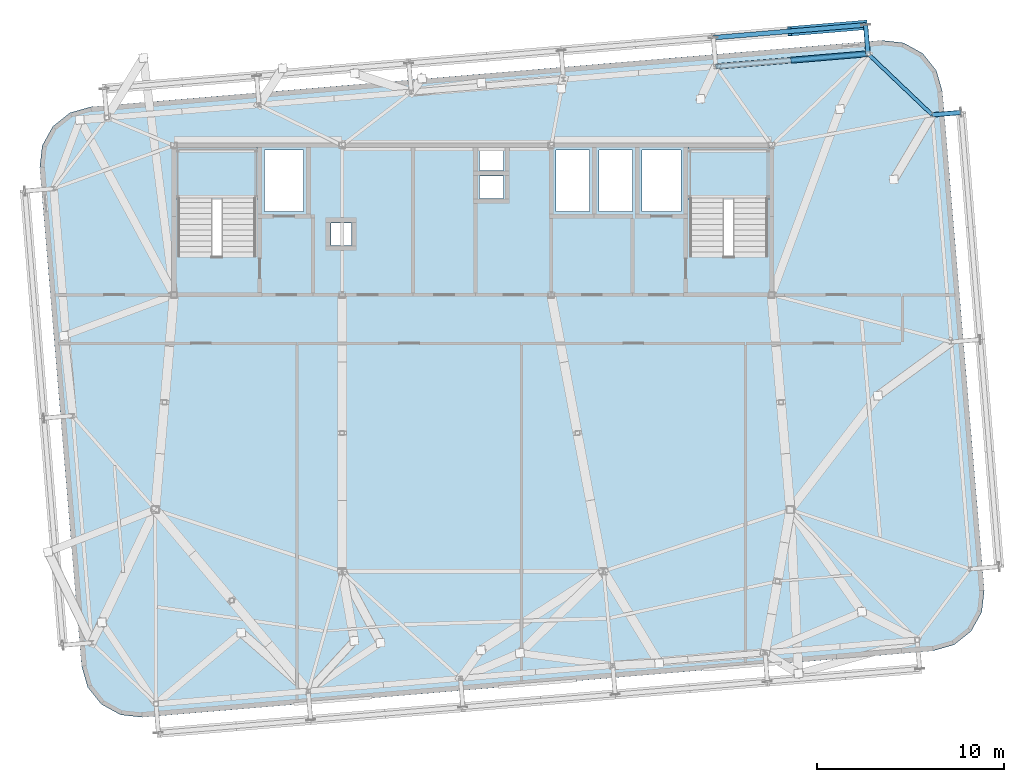
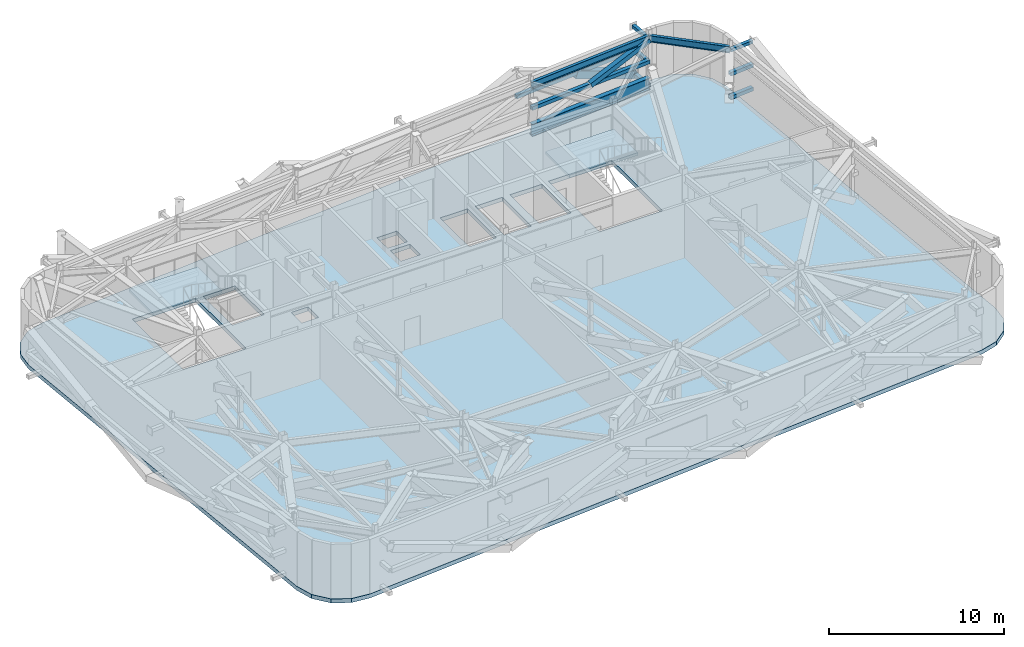
# One storey, part 14 of 26: 11 members, 3 slabs, 2 beams, 2 elements without a shape of their own.
"""IFC4 building model written with IfcOpenShell, lengths in metres."""

from ifc_helpers import new_model, si_unit, direction, frame, origin, origin_2d, place, context, subcontext, project, spatial, polyline, hollow_rectangle, i_section, outline, extrude, source, transform, mapped, material, layer, layer_set, material_profile, profile_set, type_object, element, aggregate, save


model = new_model("IFC4")

# Units and contexts
model_context = context("Model", 3, precision=1e-05, world=origin(), true_north=direction((0.0, 1.0)))
body_context = subcontext(model_context, "Body", "Model", "MODEL_VIEW")
ifc_project = project(units=[si_unit("LENGTHUNIT", "METRE"), si_unit("AREAUNIT", "SQUARE_METRE"), si_unit("VOLUMEUNIT", "CUBIC_METRE"), si_unit("PLANEANGLEUNIT", "RADIAN"), si_unit("MASSUNIT", "GRAM", prefix="KILO")], contexts=[model_context])

# Site, building, storey
site_placement = place(None, origin())
site = spatial("IfcSite", under=ifc_project, at=site_placement, CompositionType="ELEMENT")
building_placement = place(site_placement, origin())
building = spatial("IfcBuilding", under=site, at=building_placement, Name="Taldren Reach Tower", CompositionType="ELEMENT")
storey_placement = place(building_placement, frame((0.0, 0.0, 207.199951171875)))
storey = spatial("IfcBuildingStorey", under=building, at=storey_placement, Name="L63", CompositionType="ELEMENT", Elevation=207.199951171875)

# Members
ifc_material_1 = material(Name="Steel Gr 350 (C350L0)", Category="steel")
ifc_material_profile_1 = material_profile(ifc_material_1, hollow_rectangle(XDim=0.25, YDim=0.25, WallThickness=0.010009765625, at=origin_2d()), Name="250x250x10.0SHS")
ifc_profile_set_1 = profile_set([ifc_material_profile_1], Name="Steel Gr 350 (C350L0)")
member_type_1 = type_object("IfcMemberType", Name="MB-POST250", PredefinedType="POST", material=ifc_profile_set_1)
shared_shape_1 = source(origin(), body_context, "Body", "SweptSolid", [
    extrude(hollow_rectangle(XDim=0.25, YDim=0.25, WallThickness=0.010009765625, at=origin_2d()), origin(), (0.0, 0.0, 1.0), 1.5498046875),
])
for number, where, z_axis, x_axis, name in (
    (1, (56.160400390625, 36.906005859375, 0.219970703125), (-0.083645141657, 0.996495604746, 0.0), (-0.996495604746, -0.083645141657, 0.0), "Exoskeleton base diaphragm tie strut B4-N6 L63"),
    (2, (56.160400390625, 36.906005859375, 1.860107421875), (-0.083645141657, 0.996495604746, 0.0), (-0.996495604746, -0.083645141657, 0.0), "Exoskeleton mid-tier diaphragm tie B4-N6 L63"),
):
    element("IfcMember", number, at=place(storey_placement, frame(where, z_axis=z_axis, x_axis=x_axis)), inside=storey, type_object=member_type_1, Name=name, PredefinedType="POST", context=body_context, shape_type="MappedRepresentation", body=[
        mapped(shared_shape_1, transform((0.0, 0.0, 0.0), scale=1.0)),
    ])

# Beams
ifc_material_2 = material(Name="Steel Gr 350 (350PLUS)", Category="steel")
ifc_material_profile_2 = material_profile(ifc_material_2, i_section(OverallWidth=0.18994140625, OverallDepth=0.4541015625, WebThickness=0.008544921875, FlangeThickness=0.0126953125, at=origin_2d()), Name="460UB67.1")
ifc_profile_set_2 = profile_set([ifc_material_profile_2], Name="Steel Gr 350 (350PLUS)")
beam_type = type_object("IfcBeamType", Name="SP-UB460B", PredefinedType="SPANDREL", material=ifc_profile_set_2)
shared_shape_2 = source(origin(), body_context, "Body", "SweptSolid", [
    extrude(i_section(OverallWidth=0.18994140625, OverallDepth=0.4541015625, WebThickness=0.008544921875, FlangeThickness=0.0126953125, at=origin_2d()), origin(), (0.0, 0.0, 1.0), 8.18017578125),
])
beam_1_placement = place(storey_placement, frame((56.160400390625, 36.906005859375, 3.552978515625), z_axis=(-0.996492034688, -0.083687662192, 0.0), x_axis=(0.083687662192, -0.996492034688, 0.0)))
element("IfcBeam", 3, at=beam_1_placement, inside=storey, type_object=beam_type, Name="Perimeter spandrel B4 N6-N5 L63", PredefinedType="SPANDREL", context=body_context, shape_type="MappedRepresentation", body=[
    mapped(shared_shape_2, transform((0.0, 0.0, 0.0), scale=1.0)),
])
shared_shape_3 = source(origin(), body_context, "Body", "SweptSolid", [
    extrude(i_section(OverallWidth=0.18994140625, OverallDepth=0.4541015625, WebThickness=0.008544921875, FlangeThickness=0.0126953125, at=origin_2d()), origin(), (0.0, 0.0, 1.0), 4.74609375),
])
beam_2_placement = place(storey_placement, frame((59.596435546875, 33.632080078125, 3.552978515625), z_axis=(-0.723978879349, 0.689822138132, 0.0), x_axis=(-0.689822138132, -0.723978879349, 0.0)))
element("IfcBeam", 4, at=beam_2_placement, inside=storey, type_object=beam_type, Name="Perimeter spandrel B4 E3-N6 L63", PredefinedType="SPANDREL", context=body_context, shape_type="MappedRepresentation", body=[
    mapped(shared_shape_3, transform((0.0, 0.0, 0.0), scale=1.0)),
])

# Members
ifc_material_3 = material(Name="Steel Gr 450 (C450L0)", Category="steel")
ifc_material_profile_3 = material_profile(ifc_material_3, hollow_rectangle(XDim=0.219970703125, YDim=0.219970703125, WallThickness=0.00830078125, at=origin_2d()), Name="220x220x8.2SHS")
ifc_profile_set_3 = profile_set([ifc_material_profile_3], Name="Steel Gr 450 (C450L0)")
member_type_2 = type_object("IfcMemberType", Name="MB-TIE219", PredefinedType="STRUT", material=ifc_profile_set_3)
shared_shape_4 = source(origin(), body_context, "Body", "SweptSolid", [
    extrude(hollow_rectangle(XDim=0.219970703125, YDim=0.219970703125, WallThickness=0.00830078125, at=origin_2d()), origin(), (0.0, 0.0, 1.0), 1.5498046875),
])
member_1_placement = place(storey_placement, frame((56.160400390625, 36.906005859375, 3.5), z_axis=(-0.083645141657, 0.996495604746, 0.0), x_axis=(-0.996495604746, -0.083645141657, 0.0)))
element("IfcMember", 5, at=member_1_placement, inside=storey, type_object=member_type_2, Name="Exoskeleton diaphragm tie strut B4-N6 L63", PredefinedType="STRUT", context=body_context, shape_type="MappedRepresentation", body=[
    mapped(shared_shape_4, transform((0.0, 0.0, 0.0), scale=1.0)),
])
shared_shape_5 = source(origin(), body_context, "Body", "SweptSolid", [
    extrude(hollow_rectangle(XDim=0.219970703125, YDim=0.219970703125, WallThickness=0.00830078125, at=origin_2d()), origin(), (0.0, 0.0, 1.0), 1.545166015625),
])
member_2_placement = place(storey_placement, frame((59.60107421875, 33.63232421875, 3.5), z_axis=(0.996487766615, 0.083738467783, 0.0), x_axis=(-0.083738467783, 0.996487766615, 0.0)))
element("IfcMember", 6, at=member_2_placement, inside=storey, type_object=member_type_2, Name="Exoskeleton diaphragm tie strut B4-E3 L63", PredefinedType="STRUT", context=body_context, shape_type="MappedRepresentation", body=[
    mapped(shared_shape_5, transform((0.0, 0.0, 0.0), scale=1.0)),
])
shared_shape_6 = source(origin(), body_context, "Body", "SweptSolid", [
    extrude(hollow_rectangle(XDim=0.25, YDim=0.25, WallThickness=0.010009765625, at=origin_2d()), origin(), (0.0, 0.0, 1.0), 8.18017578125),
])
member_3_placement = place(storey_placement, frame((48.009033203125, 36.221435546875, 1.955078125), z_axis=(0.996492034688, 0.083687662192, 0.0), x_axis=(-0.083687662192, 0.996492034688, 0.0)))
element("IfcMember", 7, at=member_3_placement, inside=storey, type_object=member_type_1, Name="Belt Truss Transfer Mid Chord N5 L63", PredefinedType="POST", context=body_context, shape_type="MappedRepresentation", body=[
    mapped(shared_shape_6, transform((0.0, 0.0, 0.0), scale=1.0)),
])
shared_shape_7 = source(origin(), body_context, "Body", "SweptSolid", [
    extrude(hollow_rectangle(XDim=0.25, YDim=0.25, WallThickness=0.010009765625, at=origin_2d()), origin(), (0.0, 0.0, 1.0), 8.179931640625),
])
member_4_placement = place(storey_placement, frame((47.87939453125, 37.76611328125, 1.860107421875), z_axis=(0.996494523218, 0.083658025296, 0.0), x_axis=(-0.083658025296, 0.996494523218, 0.0)))
element("IfcMember", 8, at=member_4_placement, inside=storey, type_object=member_type_1, Name="Exoskeleton mid-height ring chord B4-N5 L63", PredefinedType="POST", context=body_context, shape_type="MappedRepresentation", body=[
    mapped(shared_shape_7, transform((0.0, 0.0, 0.0), scale=1.0)),
])
shared_shape_8 = source(origin(), body_context, "Body", "SweptSolid", [
    extrude(hollow_rectangle(XDim=0.25, YDim=0.25, WallThickness=0.010009765625, at=origin_2d()), origin(), (0.0, 0.0, 1.0), 1.545166015625),
])
for number, where, z_axis, x_axis, name in (
    (9, (59.60107421875, 33.63232421875, 0.219970703125), (0.996487766615, 0.083738467783, 0.0), (-0.083738467783, 0.996487766615, 0.0), "Exoskeleton base diaphragm tie strut B4-E3 L63"),
    (10, (59.60107421875, 33.63232421875, 1.860107421875), (0.996487766615, 0.083738467783, 0.0), (-0.083738467783, 0.996487766615, 0.0), "Exoskeleton mid-tier diaphragm tie B4-E3 L63"),
):
    element("IfcMember", number, at=place(storey_placement, frame(where, z_axis=z_axis, x_axis=x_axis)), inside=storey, type_object=member_type_1, Name=name, PredefinedType="POST", context=body_context, shape_type="MappedRepresentation", body=[
        mapped(shared_shape_8, transform((0.0, 0.0, 0.0), scale=1.0)),
    ])
ifc_material_profile_4 = material_profile(ifc_material_2, i_section(OverallWidth=0.300048828125, OverallDepth=0.81591796875, WebThickness=0.011962890625, FlangeThickness=0.02392578125, at=origin_2d()), Name="800WB192")
ifc_profile_set_4 = profile_set([ifc_material_profile_4], Name="Steel Gr 350 (350PLUS)")
member_type_3 = type_object("IfcMemberType", Name="MB-CH800", PredefinedType="CHORD", material=ifc_profile_set_4)
shared_shape_9 = source(origin(), body_context, "Body", "SweptSolid", [
    extrude(i_section(OverallWidth=0.300048828125, OverallDepth=0.81591796875, WebThickness=0.011962890625, FlangeThickness=0.02392578125, at=origin_2d()), origin(), (0.0, 0.0, 1.0), 8.18017578125),
])
member_5_placement = place(storey_placement, frame((48.009033203125, 36.221435546875, 0.449951171875), z_axis=(0.996492034688, 0.083687662192, 0.0), x_axis=(-0.083687662192, 0.996492034688, 0.0)))
element("IfcMember", 11, at=member_5_placement, inside=storey, type_object=member_type_3, Name="Belt Truss Transfer Bottom Chord N5 L63", PredefinedType="CHORD", context=body_context, shape_type="MappedRepresentation", body=[
    mapped(shared_shape_9, transform((0.0, 0.0, 0.0), scale=1.0)),
])
ifc_material_profile_5 = material_profile(ifc_material_3, hollow_rectangle(XDim=0.324951171875, YDim=0.324951171875, WallThickness=0.0126953125, at=origin_2d()), Name="325x325x12.7SHS")
ifc_profile_set_5 = profile_set([ifc_material_profile_5], Name="Steel Gr 450 (C450L0)")
member_type_4 = type_object("IfcMemberType", Name="MB-BR324", PredefinedType="BRACE", material=ifc_profile_set_5)
shared_shape_10 = source(origin(), body_context, "Body", "SweptSolid", [
    extrude(hollow_rectangle(XDim=0.324951171875, YDim=0.324951171875, WallThickness=0.0126953125, at=origin_2d()), origin(), (0.0, 0.0, 1.0), 4.358154296875),
])
member_6_placement = place(storey_placement, frame((52.084716796875, 36.563720703125, 1.955078125), z_axis=(0.935197538531, 0.078540011323, 0.345307153918), x_axis=(-0.083687662192, 0.996492034688, 0.0)))
element("IfcMember", 12, at=member_6_placement, inside=storey, type_object=member_type_4, Name="Belt Truss Transfer Diagonal N5 L63", PredefinedType="BRACE", context=body_context, shape_type="MappedRepresentation", body=[
    mapped(shared_shape_10, transform((0.0, 0.0, 0.0), scale=1.0)),
])
ifc_material_profile_6 = material_profile(ifc_material_3, hollow_rectangle(XDim=0.510009765625, YDim=0.510009765625, WallThickness=0.02001953125, at=origin_2d()), Name="510x510x20.0SHS")
ifc_profile_set_6 = profile_set([ifc_material_profile_6], Name="Steel Gr 450 (C450L0)")
member_type_5 = type_object("IfcMemberType", Name="MB-EXO508", PredefinedType="BRACE", material=ifc_profile_set_6)
shared_shape_11 = source(origin(), body_context, "Body", "SweptSolid", [
    extrude(hollow_rectangle(XDim=0.510009765625, YDim=0.510009765625, WallThickness=0.02001953125, at=origin_2d()), origin(), (0.0, 0.0, 1.0), 4.406494140625),
])
member_7_placement = place(storey_placement, frame((56.03076171875, 38.450439453125, 0.219970703125), z_axis=(-0.924901661276, -0.07761993695, 0.37219895534), x_axis=(0.083628388178, -0.996497010879, 0.0)))
element("IfcMember", 13, at=member_7_placement, inside=storey, type_object=member_type_5, Name="Exoskeleton Diagrid Brace B4-N5 L63", PredefinedType="BRACE", context=body_context, shape_type="MappedRepresentation", body=[
    mapped(shared_shape_11, transform((0.0, 0.0, 0.0), scale=1.0)),
])

# Slab
ifc_material_4 = material(Name="Concrete S50 (50 MPa)", Category="concrete")
ifc_layer_1 = layer(ifc_material_4, 0.280029296875)
ifc_layer_set_1 = layer_set([ifc_layer_1], Name="Concrete S50 (50 MPa)")
slab_type_1 = type_object("IfcSlabType", Name="SL-FLR-280", PredefinedType="FLOOR", material=ifc_layer_set_1)
slab_1_placement = place(storey_placement, frame((0.0, 0.0, -0.280029296875)))
element("IfcSlab", 14, at=slab_1_placement, inside=storey, type_object=slab_type_1, Name="Suspended floor slab L63", PredefinedType="FLOOR", context=body_context, shape_type="SweptSolid", body=[
    extrude(outline(polyline([(59.647705078125, 4.935791015625), (60.772705078125, 5.25927734375), (61.688232421875, 5.98876953125), (62.254638671875, 7.012939453125), (62.38623046875, 8.17626953125), (60.1435546875, 34.882080078125), (59.820068359375, 36.007080078125), (59.090576171875, 36.922607421875), (58.06640625, 37.4892578125), (56.903076171875, 37.62060546875), (14.55224609375, 34.064208984375), (13.42724609375, 33.74072265625), (12.511962890625, 33.01123046875), (11.9453125, 31.987060546875), (11.813720703125, 30.82373046875), (14.056396484375, 4.117919921875), (14.3798828125, 2.992919921875), (15.109375, 2.077392578125), (16.1337890625, 1.5107421875), (17.296875, 1.37939453125), (59.647705078125, 4.935791015625)]), holes=[polyline([(19.219970703125, 26.050048828125), (23.3798828125, 26.050048828125), (23.3798828125, 31.820068359375), (19.219970703125, 31.820068359375), (19.219970703125, 26.050048828125)]), polyline([(46.6201171875, 26.050048828125), (50.780029296875, 26.050048828125), (50.780029296875, 31.820068359375), (46.6201171875, 31.820068359375), (46.6201171875, 26.050048828125)]), polyline([(23.85009765625, 28.449951171875), (25.949951171875, 28.449951171875), (25.949951171875, 31.75), (23.85009765625, 31.75), (23.85009765625, 28.449951171875)]), polyline([(44.050048828125, 28.449951171875), (46.14990234375, 28.449951171875), (46.14990234375, 31.75), (44.050048828125, 31.75), (44.050048828125, 28.449951171875)]), polyline([(39.449951171875, 28.449951171875), (41.25, 28.449951171875), (41.25, 31.75), (39.449951171875, 31.75), (39.449951171875, 28.449951171875)]), polyline([(41.75, 28.449951171875), (43.550048828125, 28.449951171875), (43.550048828125, 31.75), (41.75, 31.75), (41.75, 28.449951171875)]), polyline([(35.35009765625, 30.64990234375), (36.64990234375, 30.64990234375), (36.64990234375, 31.85009765625), (35.35009765625, 31.85009765625), (35.35009765625, 30.64990234375)]), polyline([(35.35009765625, 29.14990234375), (36.64990234375, 29.14990234375), (36.64990234375, 30.35009765625), (35.35009765625, 30.35009765625), (35.35009765625, 29.14990234375)]), polyline([(27.39990234375, 26.64990234375), (28.5, 26.64990234375), (28.5, 27.85009765625), (27.39990234375, 27.85009765625), (27.39990234375, 26.64990234375)])]), origin(), (0.0, 0.0, 1.0), 0.280029296875),
])

# Stair, slab
stair_type = type_object("IfcStairType", Name="ST-HT-420", PredefinedType="HALF_TURN_STAIR", material=ifc_material_4)
stair_1_placement = place(storey_placement, origin())
stair_1 = element("IfcStair", 15, at=stair_1_placement, inside=storey, type_object=stair_type, Name="Fire-isolated exit stair ST1 L63", PredefinedType="HALF_TURN_STAIR")
ifc_layer_2 = layer(ifc_material_4, 0.179931640625)
ifc_layer_set_2 = layer_set([ifc_layer_2], Name="Concrete S50 (50 MPa)")
slab_type_2 = type_object("IfcSlabType", Name="SL-LAND-180", PredefinedType="LANDING", material=ifc_layer_set_2)
slab_2_placement = place(storey_placement, frame((0.0, 0.0, 1.920166015625)))
slab_2 = element("IfcSlab", 16, at=slab_2_placement, type_object=slab_type_2, Name="ST1 landing 1", PredefinedType="LANDING", context=body_context, shape_type="SweptSolid", body=[
    extrude(outline(polyline([(19.0400390625, 29.135009765625), (23.56005859375, 29.135009765625), (23.56005859375, 31.8701171875), (19.0400390625, 31.8701171875), (19.0400390625, 29.135009765625)])), origin(), (0.0, 0.0, 1.0), 0.179931640625),
])
aggregate(stair_1, [slab_2])

stair_2_placement = place(storey_placement, origin())
stair_2 = element("IfcStair", 17, at=stair_2_placement, inside=storey, type_object=stair_type, Name="Fire-isolated exit stair ST2 L63", PredefinedType="HALF_TURN_STAIR")
slab_3_placement = place(storey_placement, frame((0.0, 0.0, 1.920166015625)))
slab_3 = element("IfcSlab", 18, at=slab_3_placement, type_object=slab_type_2, Name="ST2 landing 1", PredefinedType="LANDING", context=body_context, shape_type="SweptSolid", body=[
    extrude(outline(polyline([(46.43994140625, 29.135009765625), (50.9599609375, 29.135009765625), (50.9599609375, 31.8701171875), (46.43994140625, 31.8701171875), (46.43994140625, 29.135009765625)])), origin(), (0.0, 0.0, 1.0), 0.179931640625),
])
aggregate(stair_2, [slab_3])

save(model, "model.ifc")
